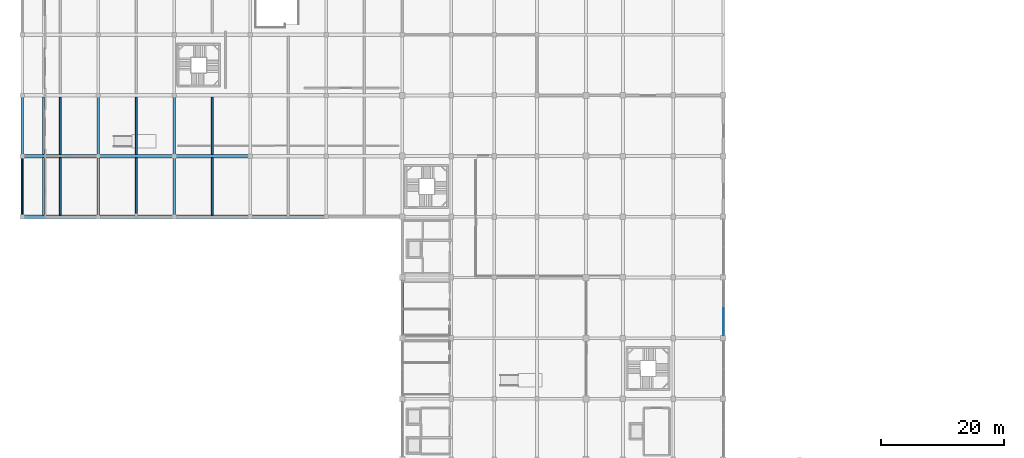
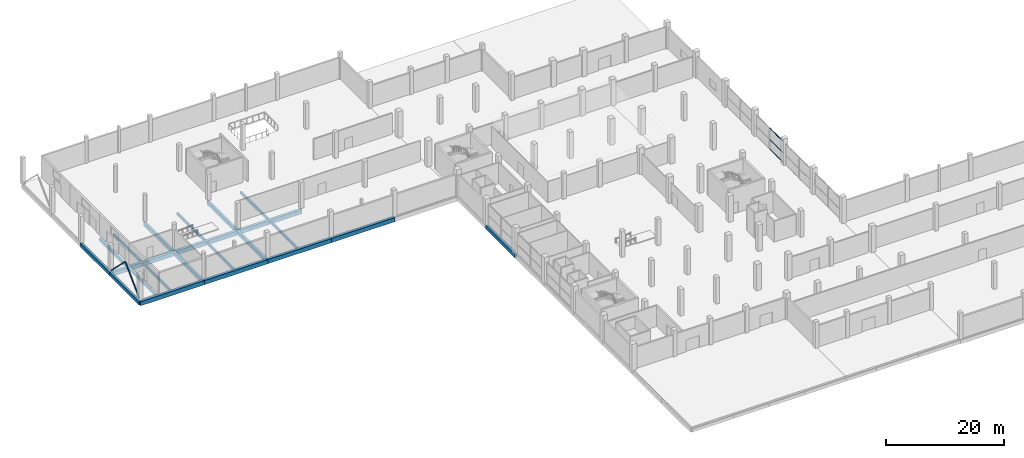
# One storey, part 11 of 50: 22 beams, 5 members, 1 element without a shape of its own.
"""IFC4 building model written with IfcOpenShell, lengths in metres."""

from ifc_helpers import new_model, si_unit, direction, frame, origin, origin_2d, place, context, subcontext, project, spatial, rectangle, hollow_rectangle, extrude, material, layer, layer_set, material_profile, profile_set, type_object, element, aggregate, save


model = new_model("IFC4")

# Units and contexts
model_context = context("Model", 3, precision=1e-05, world=origin(), true_north=direction((0.0, 1.0)))
body_context = subcontext(model_context, "Body", "Model", "MODEL_VIEW")
ifc_project = project(units=[si_unit("LENGTHUNIT", "METRE"), si_unit("AREAUNIT", "SQUARE_METRE"), si_unit("VOLUMEUNIT", "CUBIC_METRE"), si_unit("PLANEANGLEUNIT", "RADIAN"), si_unit("MASSUNIT", "GRAM", prefix="KILO")], contexts=[model_context])

# Site, building, storey
site_placement = place(None, origin())
site = spatial("IfcSite", under=ifc_project, at=site_placement, CompositionType="ELEMENT")
building_placement = place(site_placement, origin())
building = spatial("IfcBuilding", under=site, at=building_placement, Name="Sillaruma Civic Art Gallery", CompositionType="ELEMENT")
storey_placement = place(building_placement, origin())
storey = spatial("IfcBuildingStorey", under=building, at=storey_placement, Name="L00", CompositionType="ELEMENT", Elevation=0.0)

# Beams
ifc_material_1 = material(Name="Concrete H35 (35 MPa)", Category="concrete")
ifc_material_profile_1 = material_profile(ifc_material_1, rectangle(XDim=0.35009765625, YDim=0.60009765625, at=origin_2d()), Name="RCB350x600")
ifc_profile_set_1 = profile_set([ifc_material_profile_1], Name="Concrete H35 (35 MPa)")
beam_type_1 = type_object("IfcBeamType", Name="BM-BEAM-RCB350x600", PredefinedType="BEAM", material=ifc_profile_set_1)
beam_1_placement = place(storey_placement, frame((3.5, 79.39990234375, -0.60009765625), z_axis=(0.0, 1.0, 0.0), x_axis=(-1.0, 0.0, 0.0)))
element("IfcBeam", 1, at=beam_1_placement, inside=storey, type_object=beam_type_1, Name="West Forecourt Edge Beam (1)", PredefinedType="BEAM", context=body_context, shape_type="SweptSolid", body=[
    extrude(rectangle(XDim=0.35009765625, YDim=0.60009765625, at=origin_2d()), origin(), (0.0, 0.0, 1.0), 9.47509765625),
])
beam_2_placement = place(storey_placement, frame((3.5, 89.324951171875, -0.60009765625), z_axis=(0.0, 1.0, 0.0), x_axis=(-1.0, 0.0, 0.0)))
element("IfcBeam", 2, at=beam_2_placement, inside=storey, type_object=beam_type_1, Name="West Forecourt Edge Beam (2)", PredefinedType="BEAM", context=body_context, shape_type="SweptSolid", body=[
    extrude(rectangle(XDim=0.35009765625, YDim=0.60009765625, at=origin_2d()), origin(), (0.0, 0.0, 1.0), 9.449951171875),
])
ifc_material_2 = material(Name="Concrete H40 (40 MPa)", Category="concrete")
ifc_material_profile_2 = material_profile(ifc_material_2, rectangle(XDim=0.449951171875, YDim=0.75, at=origin_2d()), Name="RCB450x750")
ifc_profile_set_2 = profile_set([ifc_material_profile_2], Name="Concrete H40 (40 MPa)")
beam_type_2 = type_object("IfcBeamType", Name="BM-BEAM-RCB450x750", PredefinedType="BEAM", material=ifc_profile_set_2)
beam_3_placement = place(storey_placement, frame((0.0, 79.199951171875, -0.675048828125), z_axis=(0.0, 1.0, 0.0), x_axis=(-1.0, 0.0, 0.0)))
element("IfcBeam", 3, at=beam_3_placement, inside=storey, type_object=beam_type_2, Name="Beam BM-03 (B01:A:9-10)", PredefinedType="BEAM", context=body_context, shape_type="SweptSolid", body=[
    extrude(rectangle(XDim=0.449951171875, YDim=0.75, at=origin_2d()), origin(), (0.0, 0.0, 1.0), 9.900146484375),
])
beam_4_placement = place(storey_placement, frame((0.0, 89.10009765625, -0.675048828125), z_axis=(0.0, 1.0, 0.0), x_axis=(-1.0, 0.0, 0.0)))
element("IfcBeam", 4, at=beam_4_placement, inside=storey, type_object=beam_type_2, Name="Beam BM-03 (B01:A:10-11)", PredefinedType="BEAM", context=body_context, shape_type="SweptSolid", body=[
    extrude(rectangle(XDim=0.449951171875, YDim=0.75, at=origin_2d()), origin(), (0.0, 0.0, 1.0), 9.89990234375),
])
beam_5_placement = place(storey_placement, frame((12.39990234375, 79.199951171875, -0.675048828125), z_axis=(0.0, 1.0, 0.0), x_axis=(-1.0, 0.0, 0.0)))
element("IfcBeam", 5, at=beam_5_placement, inside=storey, type_object=beam_type_2, Name="Beam BM-03 (B01:B:9-10)", PredefinedType="BEAM", context=body_context, shape_type="SweptSolid", body=[
    extrude(rectangle(XDim=0.449951171875, YDim=0.75, at=origin_2d()), origin(), (0.0, 0.0, 1.0), 9.900146484375),
])
beam_6_placement = place(storey_placement, frame((12.39990234375, 89.10009765625, -0.675048828125), z_axis=(0.0, 1.0, 0.0), x_axis=(-1.0, 0.0, 0.0)))
element("IfcBeam", 6, at=beam_6_placement, inside=storey, type_object=beam_type_2, Name="Beam BM-03 (B01:B:10-11)", PredefinedType="BEAM", context=body_context, shape_type="SweptSolid", body=[
    extrude(rectangle(XDim=0.449951171875, YDim=0.75, at=origin_2d()), origin(), (0.0, 0.0, 1.0), 9.89990234375),
])
beam_7_placement = place(storey_placement, frame((24.800048828125, 79.199951171875, -0.675048828125), z_axis=(0.0, 1.0, 0.0), x_axis=(-1.0, 0.0, 0.0)))
element("IfcBeam", 7, at=beam_7_placement, inside=storey, type_object=beam_type_2, Name="Beam BM-03 (B01:C:9-10)", PredefinedType="BEAM", context=body_context, shape_type="SweptSolid", body=[
    extrude(rectangle(XDim=0.449951171875, YDim=0.75, at=origin_2d()), origin(), (0.0, 0.0, 1.0), 9.900146484375),
])
beam_8_placement = place(storey_placement, frame((24.800048828125, 89.10009765625, -0.675048828125), z_axis=(0.0, 1.0, 0.0), x_axis=(-1.0, 0.0, 0.0)))
element("IfcBeam", 8, at=beam_8_placement, inside=storey, type_object=beam_type_2, Name="Beam BM-03 (B01:C:10-11)", PredefinedType="BEAM", context=body_context, shape_type="SweptSolid", body=[
    extrude(rectangle(XDim=0.449951171875, YDim=0.75, at=origin_2d()), origin(), (0.0, 0.0, 1.0), 9.89990234375),
])
beam_9_placement = place(storey_placement, frame((62.0, 59.39990234375, -0.675048828125), z_axis=(0.0, 1.0, 0.0), x_axis=(-1.0, 0.0, 0.0)))
element("IfcBeam", 9, at=beam_9_placement, inside=storey, type_object=beam_type_2, Name="Beam BM-03 (B01:F:7-8)", PredefinedType="BEAM", context=body_context, shape_type="SweptSolid", body=[
    extrude(rectangle(XDim=0.449951171875, YDim=0.75, at=origin_2d()), origin(), (0.0, 0.0, 1.0), 9.900146484375),
])
ifc_material_profile_3 = material_profile(ifc_material_2, rectangle(XDim=0.550048828125, YDim=0.85009765625, at=origin_2d()), Name="RCB550x850")
ifc_profile_set_3 = profile_set([ifc_material_profile_3], Name="Concrete H40 (40 MPa)")
beam_type_3 = type_object("IfcBeamType", Name="BM-BEAM-RCB550x850", PredefinedType="BEAM", material=ifc_profile_set_3)
beam_10_placement = place(storey_placement, frame((0.0, 79.199951171875, -0.72509765625), z_axis=(1.0, 0.0, 0.0), x_axis=(0.0, 1.0, 0.0)))
element("IfcBeam", 10, at=beam_10_placement, inside=storey, type_object=beam_type_3, Name="Beam BM-01 (B01:9:A-B)", PredefinedType="BEAM", context=body_context, shape_type="SweptSolid", body=[
    extrude(rectangle(XDim=0.550048828125, YDim=0.85009765625, at=origin_2d()), origin(), (0.0, 0.0, 1.0), 12.39990234375),
])
beam_11_placement = place(storey_placement, frame((12.39990234375, 79.199951171875, -0.72509765625), z_axis=(1.0, 0.0, 0.0), x_axis=(0.0, 1.0, 0.0)))
element("IfcBeam", 11, at=beam_11_placement, inside=storey, type_object=beam_type_3, Name="Beam BM-01 (B01:9:B-C)", PredefinedType="BEAM", context=body_context, shape_type="SweptSolid", body=[
    extrude(rectangle(XDim=0.550048828125, YDim=0.85009765625, at=origin_2d()), origin(), (0.0, 0.0, 1.0), 12.400146484375),
])
beam_12_placement = place(storey_placement, frame((24.800048828125, 79.199951171875, -0.72509765625), z_axis=(1.0, 0.0, 0.0), x_axis=(0.0, 1.0, 0.0)))
element("IfcBeam", 12, at=beam_12_placement, inside=storey, type_object=beam_type_3, Name="Beam BM-01 (B01:9:C-D)", PredefinedType="BEAM", context=body_context, shape_type="SweptSolid", body=[
    extrude(rectangle(XDim=0.550048828125, YDim=0.85009765625, at=origin_2d()), origin(), (0.0, 0.0, 1.0), 12.39990234375),
])
beam_13_placement = place(storey_placement, frame((37.199951171875, 79.199951171875, -0.72509765625), z_axis=(1.0, 0.0, 0.0), x_axis=(0.0, 1.0, 0.0)))
element("IfcBeam", 13, at=beam_13_placement, inside=storey, type_object=beam_type_3, Name="Beam BM-01 (B01:9:D-E)", PredefinedType="BEAM", context=body_context, shape_type="SweptSolid", body=[
    extrude(rectangle(XDim=0.550048828125, YDim=0.85009765625, at=origin_2d()), origin(), (0.0, 0.0, 1.0), 12.400146484375),
])
beam_14_placement = place(storey_placement, frame((0.0, 89.10009765625, -0.72509765625), z_axis=(1.0, 0.0, 0.0), x_axis=(0.0, 1.0, 0.0)))
element("IfcBeam", 14, at=beam_14_placement, inside=storey, type_object=beam_type_3, Name="Beam BM-01 (B01:10:A-B)", PredefinedType="BEAM", context=body_context, shape_type="SweptSolid", body=[
    extrude(rectangle(XDim=0.550048828125, YDim=0.85009765625, at=origin_2d()), origin(), (0.0, 0.0, 1.0), 12.39990234375),
])
beam_15_placement = place(storey_placement, frame((12.39990234375, 89.10009765625, -0.72509765625), z_axis=(1.0, 0.0, 0.0), x_axis=(0.0, 1.0, 0.0)))
element("IfcBeam", 15, at=beam_15_placement, inside=storey, type_object=beam_type_3, Name="Beam BM-01 (B01:10:B-C)", PredefinedType="BEAM", context=body_context, shape_type="SweptSolid", body=[
    extrude(rectangle(XDim=0.550048828125, YDim=0.85009765625, at=origin_2d()), origin(), (0.0, 0.0, 1.0), 12.400146484375),
])
beam_16_placement = place(storey_placement, frame((24.800048828125, 89.10009765625, -0.72509765625), z_axis=(1.0, 0.0, 0.0), x_axis=(0.0, 1.0, 0.0)))
element("IfcBeam", 16, at=beam_16_placement, inside=storey, type_object=beam_type_3, Name="Beam BM-01 (B01:10:C-D)", PredefinedType="BEAM", context=body_context, shape_type="SweptSolid", body=[
    extrude(rectangle(XDim=0.550048828125, YDim=0.85009765625, at=origin_2d()), origin(), (0.0, 0.0, 1.0), 12.39990234375),
])
ifc_material_profile_4 = material_profile(ifc_material_1, rectangle(XDim=0.300048828125, YDim=0.52001953125, at=origin_2d()), Name="RCB300x520")
ifc_profile_set_4 = profile_set([ifc_material_profile_4], Name="Concrete H35 (35 MPa)")
beam_type_4 = type_object("IfcBeamType", Name="BM-JOIST-RCB300x520", PredefinedType="JOIST", material=ifc_profile_set_4)
for number, where, z_axis, x_axis, name in (
    (17, (6.199951171875, 79.47509765625, -0.56005859375), (0.0, 1.0, 0.0), (-1.0, 0.0, 0.0), "Floor Joist JR-01 (B01:AB:9-10)"),
    (18, (18.60009765625, 79.47509765625, -0.56005859375), (0.0, 1.0, 0.0), (-1.0, 0.0, 0.0), "Floor Joist JR-01 (B01:BC:9-10)"),
    (19, (31.0, 79.47509765625, -0.56005859375), (0.0, 1.0, 0.0), (-1.0, 0.0, 0.0), "Floor Joist JR-01 (B01:CD:9-10)"),
):
    element("IfcBeam", number, at=place(storey_placement, frame(where, z_axis=z_axis, x_axis=x_axis)), inside=storey, type_object=beam_type_4, Name=name, PredefinedType="JOIST", context=body_context, shape_type="SweptSolid", body=[
        extrude(rectangle(XDim=0.300048828125, YDim=0.52001953125, at=origin_2d()), origin(), (0.0, 0.0, 1.0), 9.349853515625),
    ])
for number, where, z_axis, x_axis, name in (
    (20, (6.199951171875, 89.375, -0.56005859375), (0.0, 1.0, 0.0), (-1.0, 0.0, 0.0), "Floor Joist JR-01 (B01:AB:10-11)"),
    (21, (18.60009765625, 89.375, -0.56005859375), (0.0, 1.0, 0.0), (-1.0, 0.0, 0.0), "Floor Joist JR-01 (B01:BC:10-11)"),
    (22, (31.0, 89.375, -0.56005859375), (0.0, 1.0, 0.0), (-1.0, 0.0, 0.0), "Floor Joist JR-01 (B01:CD:10-11)"),
):
    element("IfcBeam", number, at=place(storey_placement, frame(where, z_axis=z_axis, x_axis=x_axis)), inside=storey, type_object=beam_type_4, Name=name, PredefinedType="JOIST", context=body_context, shape_type="SweptSolid", body=[
        extrude(rectangle(XDim=0.300048828125, YDim=0.52001953125, at=origin_2d()), origin(), (0.0, 0.0, 1.0), 9.35009765625),
    ])

# Members
ifc_material_3 = material(Name="Structural Steel ASTM A500 Gr.C", Category="steel")
ifc_material_profile_5 = material_profile(ifc_material_3, hollow_rectangle(XDim=0.199951171875, YDim=0.199951171875, WallThickness=0.010009765625, InnerFilletRadius=0.010009765625, OuterFilletRadius=0.02001953125, at=origin_2d()), Name="HSS200x200x10")
ifc_profile_set_5 = profile_set([ifc_material_profile_5], Name="Structural Steel ASTM A500 Gr.C")
member_type_1 = type_object("IfcMemberType", Name="MEM-PROW-BRACE", PredefinedType="BRACE", material=ifc_profile_set_5)
for number, where, z_axis, x_axis, name in (
    (23, (0.0, 79.39990234375, 0.14990234375), (0.0, 0.713073760049, 0.701089019119), (-1.0, 0.0, 0.0), "Street Portico Colonnade V-Brace (W1A)"),
    (24, (0.0, 88.89990234375, 0.14990234375), (0.0, -0.713073760049, 0.701089019119), (1.0, 0.0, 0.0), "Street Portico Colonnade V-Brace (W1B)"),
):
    element("IfcMember", number, at=place(storey_placement, frame(where, z_axis=z_axis, x_axis=x_axis)), inside=storey, type_object=member_type_1, Name=name, PredefinedType="BRACE", context=body_context, shape_type="SweptSolid", body=[
        extrude(hollow_rectangle(XDim=0.199951171875, YDim=0.199951171875, WallThickness=0.010009765625, InnerFilletRadius=0.010009765625, OuterFilletRadius=0.02001953125, at=origin_2d()), origin(), (0.0, 0.0, 1.0), 6.661376953125),
    ])

# Curtain wall, members
ifc_material_4 = material(Name="Thermally Broken Extruded Aluminium 6063-T6", Category="aluminium")
ifc_layer = layer(ifc_material_4, 0.139892578125, Name="Thermally Broken Extruded Aluminium 6063-T6")
ifc_layer_set = layer_set([ifc_layer], Name="Thermally Broken Extruded Aluminium 6063-T6")
curtain_wall_type = type_object("IfcCurtainWallType", Name="CW-UNI-05", PredefinedType="NOTDEFINED", material=ifc_layer_set)
curtain_wall_placement = place(storey_placement, origin())
curtain_wall = element("IfcCurtainWall", 25, at=curtain_wall_placement, inside=storey, type_object=curtain_wall_type, Name="Unitised Curtain Wall CW-05 (CW-L00-SPE-5)", PredefinedType="NOTDEFINED")
ifc_material_profile_6 = material_profile(ifc_material_4, hollow_rectangle(XDim=0.06494140625, YDim=0.1201171875, WallThickness=0.00341796875, at=origin_2d()), Name="CWT65x120")
ifc_profile_set_6 = profile_set([ifc_material_profile_6], Name="Thermally Broken Extruded Aluminium 6063-T6")
member_type_2 = type_object("IfcMemberType", Name="MEM-TRN-CWT65x120", PredefinedType="USERDEFINED", material=ifc_profile_set_6)
member_1_placement = place(storey_placement, frame((114.39990234375, 59.909912109375, 0.032470703125), z_axis=(0.0, 1.0, 0.0), x_axis=(-1.0, 0.0, 0.0)))
member_1 = element("IfcMember", 26, at=member_1_placement, type_object=member_type_2, Name="CW-05 transom 1.1", ObjectType="TRANSOM", PredefinedType="USERDEFINED", context=body_context, shape_type="SweptSolid", body=[
    extrude(hollow_rectangle(XDim=0.06494140625, YDim=0.1201171875, WallThickness=0.00341796875, at=origin_2d()), origin(), (0.0, 0.0, 1.0), 4.41015625),
])
member_2_placement = place(storey_placement, frame((114.39990234375, 59.909912109375, 2.02392578125), z_axis=(0.0, 1.0, 0.0), x_axis=(-1.0, 0.0, 0.0)))
member_2 = element("IfcMember", 27, at=member_2_placement, type_object=member_type_2, Name="CW-05 transom 1.2", ObjectType="TRANSOM", PredefinedType="USERDEFINED", context=body_context, shape_type="SweptSolid", body=[
    extrude(hollow_rectangle(XDim=0.06494140625, YDim=0.1201171875, WallThickness=0.00341796875, at=origin_2d()), origin(), (0.0, 0.0, 1.0), 4.41015625),
])
member_3_placement = place(storey_placement, frame((114.39990234375, 59.909912109375, 4.367431640625), z_axis=(0.0, 1.0, 0.0), x_axis=(-1.0, 0.0, 0.0)))
member_3 = element("IfcMember", 28, at=member_3_placement, type_object=member_type_2, Name="CW-05 transom 1.3", ObjectType="TRANSOM", PredefinedType="USERDEFINED", context=body_context, shape_type="SweptSolid", body=[
    extrude(hollow_rectangle(XDim=0.06494140625, YDim=0.1201171875, WallThickness=0.00341796875, at=origin_2d()), origin(), (0.0, 0.0, 1.0), 4.41015625),
])
aggregate(curtain_wall, [member_1, member_2, member_3])

save(model, "model.ifc")
